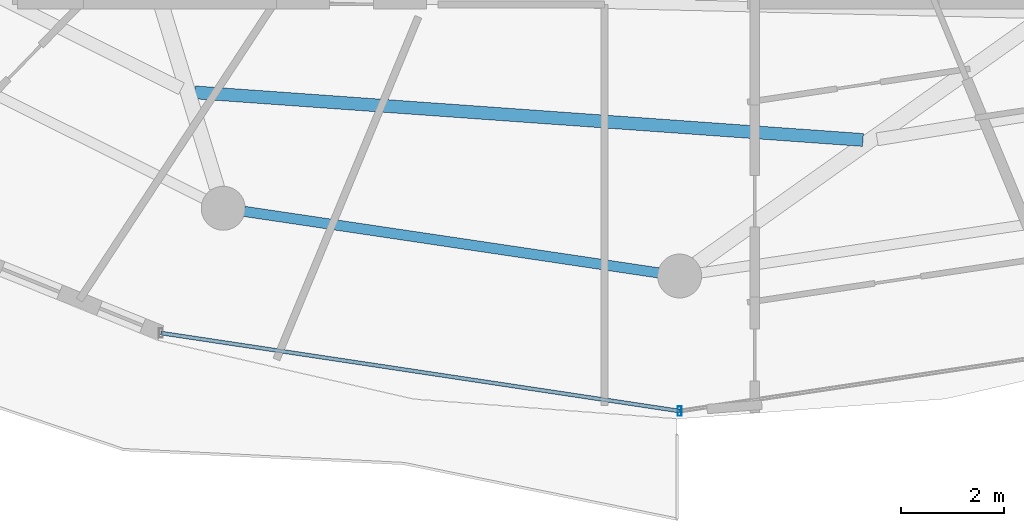
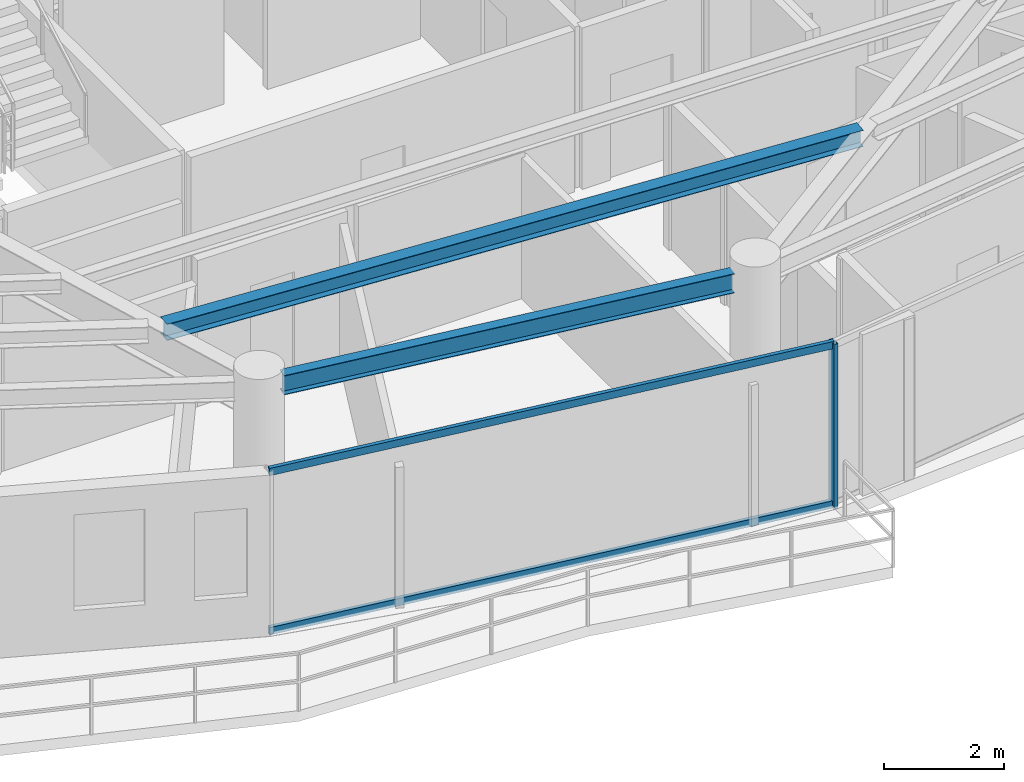
# One storey, part 5 of 31: 3 members, 2 beams, 1 element without a shape of its own.
"""IFC4 building model written with IfcOpenShell, lengths in metres."""

from ifc_helpers import new_model, si_unit, direction, frame, origin, origin_2d, place, context, subcontext, project, spatial, hollow_rectangle, i_section, extrude, material, material_profile, profile_set, type_object, element, aggregate, save


model = new_model("IFC4")

# Units and contexts
model_context = context("Model", 3, precision=1e-05, world=origin(), true_north=direction((0.0, 1.0)))
body_context = subcontext(model_context, "Body", "Model", "MODEL_VIEW")
ifc_project = project(units=[si_unit("LENGTHUNIT", "METRE"), si_unit("AREAUNIT", "SQUARE_METRE"), si_unit("VOLUMEUNIT", "CUBIC_METRE"), si_unit("PLANEANGLEUNIT", "RADIAN"), si_unit("MASSUNIT", "GRAM", prefix="KILO")], contexts=[model_context])

# Site, building, storey
site_placement = place(None, origin())
site = spatial("IfcSite", under=ifc_project, at=site_placement, CompositionType="ELEMENT")
building_placement = place(site_placement, origin())
building = spatial("IfcBuilding", under=site, at=building_placement, Name="Vorneva Point Tower", CompositionType="ELEMENT")
storey_placement = place(building_placement, frame((0.0, 0.0, 266.199951171875)))
storey = spatial("IfcBuildingStorey", under=building, at=storey_placement, Name="L72", CompositionType="ELEMENT", Elevation=266.199951171875)

# Beams
ifc_material_1 = material(Name="Steel S355", Category="steel")
ifc_material_profile_1 = material_profile(ifc_material_1, i_section(OverallWidth=0.2490234375, OverallDepth=0.333984375, WebThickness=0.008056640625, FlangeThickness=0.010986328125, at=origin_2d()), Name="35Sh1")
ifc_profile_set_1 = profile_set([ifc_material_profile_1], Name="Steel S355")
beam_type_1 = type_object("IfcBeamType", Name="BM-SEC-35Sh1", PredefinedType="BEAM", material=ifc_profile_set_1)
beam_1_placement = place(storey_placement, frame((28.63232421875, 12.349365234375, 3.123046875), z_axis=(0.997472849648, -0.071048674973, 0.0), x_axis=(0.071048674973, 0.997472849648, 0.0)))
element("IfcBeam", 1, at=beam_1_placement, inside=storey, type_object=beam_type_1, Name="L72 Secondary Floor Beam 1.12", PredefinedType="BEAM", context=body_context, shape_type="SweptSolid", body=[
    extrude(i_section(OverallWidth=0.2490234375, OverallDepth=0.333984375, WebThickness=0.008056640625, FlangeThickness=0.010986328125, at=origin_2d()), origin(), (0.0, 0.0, 1.0), 12.9443359375),
])
ifc_material_profile_2 = material_profile(ifc_material_1, i_section(OverallWidth=0.198974609375, OverallDepth=0.39599609375, WebThickness=0.007080078125, FlangeThickness=0.010986328125, at=origin_2d()), Name="40B1")
ifc_profile_set_2 = profile_set([ifc_material_profile_2], Name="Steel S355")
beam_type_2 = type_object("IfcBeamType", Name="BM-SPN-40B1", PredefinedType="SPANDREL", material=ifc_profile_set_2)
beam_2_placement = place(storey_placement, frame((29.584716796875, 10.049072265625, 3.092041015625), z_axis=(0.989161657331, -0.146830567886, 0.0), x_axis=(0.146830567886, 0.989161657331, 0.0)))
element("IfcBeam", 2, at=beam_2_placement, inside=storey, type_object=beam_type_2, Name="L72 Perimeter Spandrel Ring Beam 12", PredefinedType="SPANDREL", context=body_context, shape_type="SweptSolid", body=[
    extrude(i_section(OverallWidth=0.198974609375, OverallDepth=0.39599609375, WebThickness=0.007080078125, FlangeThickness=0.010986328125, at=origin_2d()), origin(), (0.0, 0.0, 1.0), 8.097412109375),
])

# Curtain wall, members
ifc_material_2 = material(Name="Pale anodised aluminium", Category="aluminium")
curtain_wall_type = type_object("IfcCurtainWallType", Name="CW-RES-SYS", PredefinedType="NOTDEFINED", material=ifc_material_2)
curtain_wall_placement = place(storey_placement, origin())
curtain_wall = element("IfcCurtainWall", 3, at=curtain_wall_placement, inside=storey, type_object=curtain_wall_type, Name="L72 Unitised Curtain Wall CW-L72-R04", PredefinedType="NOTDEFINED")
ifc_material_profile_3 = material_profile(ifc_material_2, hollow_rectangle(XDim=0.074951171875, YDim=0.179931640625, WallThickness=0.00390625, at=origin_2d()), Name="AL-MUL 180x75x4")
ifc_profile_set_3 = profile_set([ifc_material_profile_3], Name="Pale anodised aluminium")
member_type_1 = type_object("IfcMemberType", Name="CW-MUL-180", PredefinedType="MULLION", material=ifc_profile_set_3)
member_1_placement = place(storey_placement, frame((38.0, 6.18994140625, -0.0400390625), z_axis=(0.0, 0.0, 1.0), x_axis=(1.0, 0.0, 0.0)))
member_1 = element("IfcMember", 4, at=member_1_placement, type_object=member_type_1, Name="CW-L72-R04 Mullion 02", PredefinedType="MULLION", context=body_context, shape_type="SweptSolid", body=[
    extrude(hollow_rectangle(XDim=0.074951171875, YDim=0.179931640625, WallThickness=0.00390625, at=origin_2d()), origin(), (0.0, 0.0, 1.0), 3.360107421875),
])
ifc_material_profile_4 = material_profile(ifc_material_2, hollow_rectangle(XDim=0.074951171875, YDim=0.14990234375, WallThickness=0.00390625, at=origin_2d()), Name="AL-TRN 150x75x4")
ifc_profile_set_4 = profile_set([ifc_material_profile_4], Name="Pale anodised aluminium")
member_type_2 = type_object("IfcMemberType", Name="CW-TRN-150", PredefinedType="USERDEFINED", material=ifc_profile_set_4)
member_2_placement = place(storey_placement, frame((27.9736328125, 7.697998046875, 0.02001953125), z_axis=(0.988876929856, -0.148736066907, 0.0), x_axis=(0.148736066907, 0.988876929856, 0.0)))
member_2 = element("IfcMember", 5, at=member_2_placement, type_object=member_type_2, Name="CW-L72-R04 Transom 01.1", ObjectType="TRANSOM", PredefinedType="USERDEFINED", context=body_context, shape_type="SweptSolid", body=[
    extrude(hollow_rectangle(XDim=0.074951171875, YDim=0.14990234375, WallThickness=0.00390625, at=origin_2d()), origin(), (0.0, 0.0, 1.0), 10.13916015625),
])
member_3_placement = place(storey_placement, frame((27.9736328125, 7.697998046875, 3.27001953125), z_axis=(0.988876929856, -0.148736066907, 0.0), x_axis=(0.148736066907, 0.988876929856, 0.0)))
member_3 = element("IfcMember", 6, at=member_3_placement, type_object=member_type_2, Name="CW-L72-R04 Transom 01.2", ObjectType="TRANSOM", PredefinedType="USERDEFINED", context=body_context, shape_type="SweptSolid", body=[
    extrude(hollow_rectangle(XDim=0.074951171875, YDim=0.14990234375, WallThickness=0.00390625, at=origin_2d()), origin(), (0.0, 0.0, 1.0), 10.13916015625),
])
aggregate(curtain_wall, [member_1, member_2, member_3])

save(model, "model.ifc")
